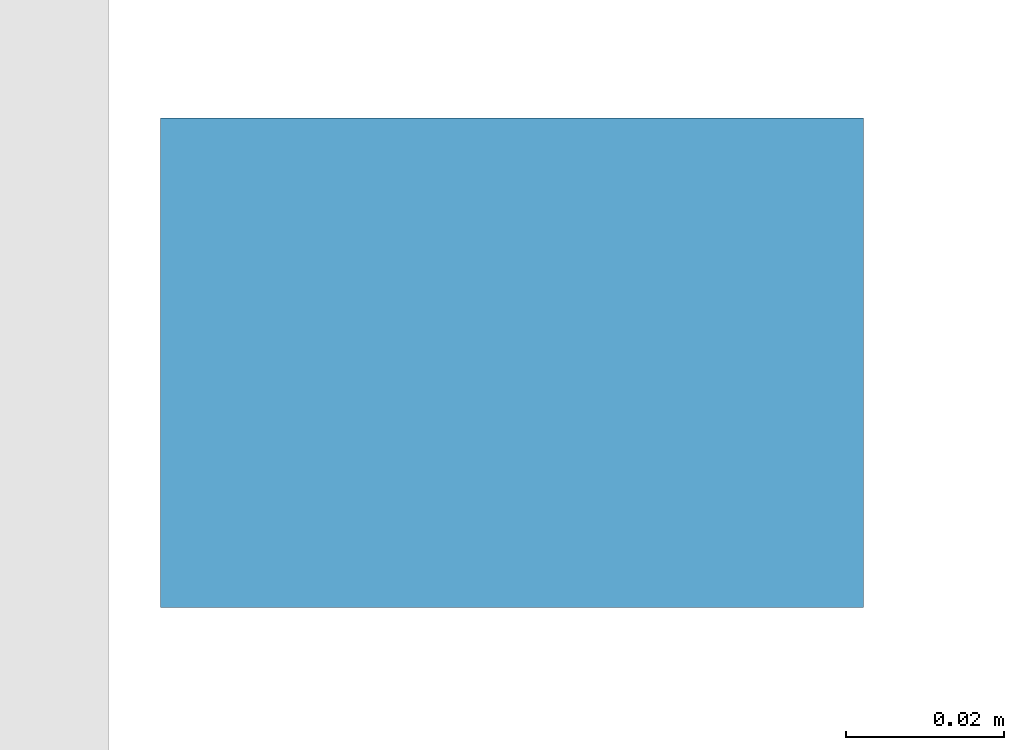
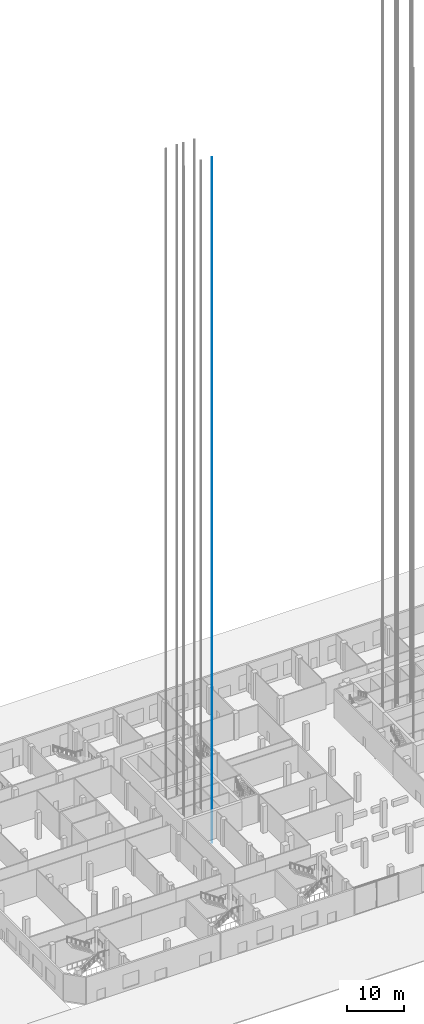
# One storey, part 5 of 55: 1 member.
"""IFC4 building model written with IfcOpenShell, lengths in metres."""

from ifc_helpers import new_model, si_unit, direction, frame, origin, origin_2d, place, context, subcontext, project, spatial, rectangle, extrude, material, material_profile, profile_set, type_object, element, save


model = new_model("IFC4")

# Units and contexts
model_context = context("Model", 3, precision=1e-05, world=origin(), true_north=direction((0.0, 1.0)))
body_context = subcontext(model_context, "Body", "Model", "MODEL_VIEW")
ifc_project = project(units=[si_unit("LENGTHUNIT", "METRE"), si_unit("AREAUNIT", "SQUARE_METRE"), si_unit("VOLUMEUNIT", "CUBIC_METRE"), si_unit("PLANEANGLEUNIT", "RADIAN"), si_unit("MASSUNIT", "GRAM", prefix="KILO")], contexts=[model_context])

# Site, building, storey
site_placement = place(None, origin())
site = spatial("IfcSite", under=ifc_project, at=site_placement, CompositionType="ELEMENT")
building_placement = place(site_placement, origin())
building = spatial("IfcBuilding", under=site, at=building_placement, Name="Cinnabar Reach Civic Tower", CompositionType="ELEMENT")
storey_placement = place(building_placement, origin())
storey = spatial("IfcBuildingStorey", under=building, at=storey_placement, Name="L00", CompositionType="ELEMENT", Elevation=0.0)

# Member
ifc_material = material(Name="Steel Q355B", Category="steel")
ifc_material_profile = material_profile(ifc_material, rectangle(XDim=0.089, YDim=0.062, at=origin_2d()), Name="T89")
ifc_profile_set = profile_set([ifc_material_profile], Name="Steel Q355B")
member_type = type_object("IfcMemberType", Name="Lift guide rail T89", PredefinedType="MEMBER", material=ifc_profile_set)
member_placement = place(storey_placement, frame((-35.649, 22.7, -2.5), z_axis=(0.0, 0.0, 1.0), x_axis=(1.0, 0.0, 0.0)))
element("IfcMember", 1, at=member_placement, inside=storey, type_object=member_type, Name="Lift guide rail 2", PredefinedType="MEMBER", context=body_context, shape_type="SweptSolid", body=[
    extrude(rectangle(XDim=0.089, YDim=0.062, at=origin_2d()), origin(), (0.0, 0.0, 1.0), 146.05),
])

save(model, "model.ifc")
